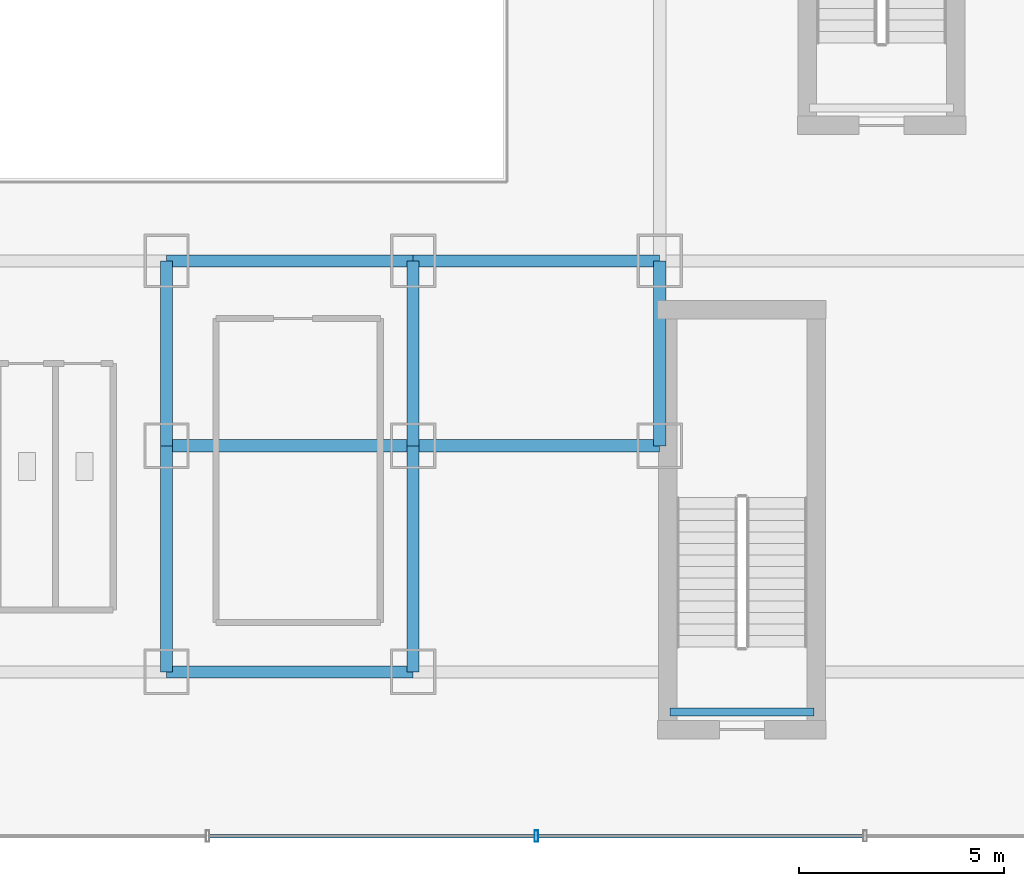
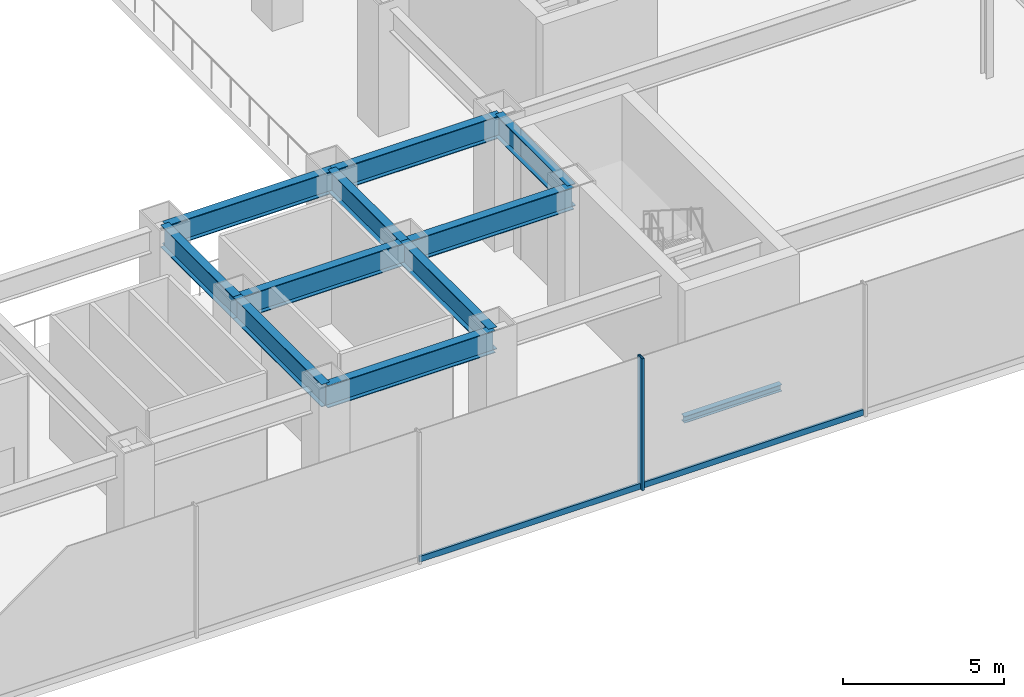
# One storey, part 10 of 39: 11 beams, 3 members, 1 element without a shape of its own.
"""IFC4 building model written with IfcOpenShell, lengths in metres."""

import ifcopenshell
import ifcopenshell.guid

model = None  # the IFC model being written
_history = None  # IfcOwnerHistory: only IFC2X3 demands one
_inside = {}  # id of a spatial element -> (the spatial element, [elements in it])
_under = {}  # id of a project, library or spatial element -> (it, [spatial elements below it])
_declared = {}  # id of a project -> (the project, [libraries it declares])
_typed = {}  # id of a type object -> (the type object, [elements of that type])
_made_of = {}  # id of a material, layer set ... -> (it, [elements and type objects made of it])


def new_model(schema):
    """Start an empty IFC model of exactly this schema.

    Asked for "IFC4X3", IfcOpenShell would pick the latest addendum, in which some entities
    have other attributes; the version numbers below select the first issue.
    IFC2X3 requires an IfcOwnerHistory on every rooted entity: one is made here for all.
    """
    global model, _history
    if schema == "IFC4X3":
        model = ifcopenshell.file(schema_version=(4, 3, 0, 0))
    else:
        model = ifcopenshell.file(schema=schema)
    _inside.clear()
    _under.clear()
    _declared.clear()
    _typed.clear()
    _made_of.clear()
    _history = None
    if model.schema == "IFC2X3":
        org = make("IfcOrganization", Name="unknown")
        user = make(
            "IfcPersonAndOrganization",
            ThePerson=make("IfcPerson", FamilyName="unknown"),
            TheOrganization=org,
        )
        app = make(
            "IfcApplication",
            ApplicationDeveloper=org,
            Version="unknown",
            ApplicationFullName="unknown",
            ApplicationIdentifier="unknown",
        )
        _history = make(
            "IfcOwnerHistory",
            OwningUser=user,
            OwningApplication=app,
            ChangeAction="ADDED",
            CreationDate=0,
        )
    return model


def make(cls, **values):
    """One entity of the class cls with the attributes given. An attribute that is None is left unset."""
    return model.create_entity(
        cls, **{name: value for name, value in values.items() if value is not None}
    )


def rooted(cls, **values):
    """An entity with a GlobalId (a new one), such as an element, a storey or a relation."""
    return make(cls, GlobalId=ifcopenshell.guid.new(), OwnerHistory=_history, **values)


def si_unit(unit_type, name, prefix=None):
    """IfcSIUnit, for example si_unit("LENGTHUNIT", "METRE", prefix="MILLI")."""
    return make("IfcSIUnit", UnitType=unit_type, Prefix=prefix, Name=name)


def derived_unit(unit_type, elements):
    """IfcDerivedUnit: a product of units, each with its exponent."""
    return make(
        "IfcDerivedUnit",
        Elements=[
            make("IfcDerivedUnitElement", Unit=unit, Exponent=power)
            for unit, power in elements
        ],
        UnitType=unit_type,
    )


def assignment(units):
    """IfcUnitAssignment: the units of a project."""
    return None if units is None else make("IfcUnitAssignment", Units=units)


def point(xyz):
    """IfcCartesianPoint."""
    return None if xyz is None else make("IfcCartesianPoint", Coordinates=xyz)


def direction(xyz):
    """IfcDirection."""
    return None if xyz is None else make("IfcDirection", DirectionRatios=xyz)


def frame(location, z_axis=None, x_axis=None):
    """IfcAxis2Placement3D, a coordinate frame: its origin and axes. An axis left out is left unset."""
    return make(
        "IfcAxis2Placement3D",
        Location=point(location),
        Axis=direction(z_axis),
        RefDirection=direction(x_axis),
    )


def frame_2d(location, x_axis=None):
    """IfcAxis2Placement2D, a coordinate frame in the plane: its origin and x axis."""
    return make(
        "IfcAxis2Placement2D", Location=point(location), RefDirection=direction(x_axis)
    )


def origin():
    """The frame at (0, 0, 0) with its axes left unset."""
    return frame((0.0, 0.0, 0.0))


def origin_2d():
    """The frame at (0, 0) in the plane with its x axis left unset."""
    return frame_2d((0.0, 0.0))


def place(relative_to, where):
    """IfcLocalPlacement: puts the frame where relative to a parent placement (None: the world)."""
    return make(
        "IfcLocalPlacement", PlacementRelTo=relative_to, RelativePlacement=where
    )


def context(
    kind, dimensions, precision=None, world=None, true_north=None, identifier=None
):
    """IfcGeometricRepresentationContext, for example the 3D "Model" context."""
    return make(
        "IfcGeometricRepresentationContext",
        ContextIdentifier=identifier,
        ContextType=kind,
        CoordinateSpaceDimension=dimensions,
        Precision=precision,
        WorldCoordinateSystem=world,
        TrueNorth=true_north,
    )


def subcontext(parent, identifier, kind, view, scale=None):
    """IfcGeometricRepresentationSubContext, for example "Body" below "Model"."""
    return make(
        "IfcGeometricRepresentationSubContext",
        ContextIdentifier=identifier,
        ContextType=kind,
        ParentContext=parent,
        TargetScale=scale,
        TargetView=view,
    )


def project(units=None, contexts=None):
    """IfcProject with its units and contexts."""
    return rooted(
        "IfcProject",
        Name="project",
        RepresentationContexts=contexts,
        UnitsInContext=assignment(units),
    )


def spatial(cls, under=None, at=None, **own):
    """A site, building, storey or space (cls), placed at a placement, below another one or the project."""
    s = rooted(cls, ObjectPlacement=at, **own)
    if under is not None:
        _under.setdefault(under.id(), (under, []))[1].append(s)
    return s


def profile(cls, at=None, kind="AREA", **sizes):
    """A parametric profile (cls). Its sizes go by their IFC names, for example OverallWidth=200.0."""
    return make(cls, ProfileType=kind, Position=at, **sizes)


def hollow_rectangle(**sizes):
    """IfcRectangleHollowProfileDef."""
    return profile("IfcRectangleHollowProfileDef", **sizes)


def i_section(**sizes):
    """IfcIShapeProfileDef."""
    return profile("IfcIShapeProfileDef", **sizes)


def extrude(swept, where, along, depth):
    """IfcExtrudedAreaSolid: the profile swept, set in the frame where, extruded along a direction by depth."""
    return make(
        "IfcExtrudedAreaSolid",
        SweptArea=swept,
        Position=where,
        ExtrudedDirection=direction(along),
        Depth=depth,
    )


def shape(context_of_items, identifier, shape_type, items):
    """IfcShapeRepresentation: the items that make up one representation, for example the "Body"."""
    return make(
        "IfcShapeRepresentation",
        ContextOfItems=context_of_items,
        RepresentationIdentifier=identifier,
        RepresentationType=shape_type,
        Items=items,
    )


def source(mapping_origin, context_of_items, identifier, shape_type, items):
    """IfcRepresentationMap: a shape defined once, which mapped items show again and again."""
    return make(
        "IfcRepresentationMap",
        MappingOrigin=mapping_origin,
        MappedRepresentation=shape(context_of_items, identifier, shape_type, items),
    )


def transform(
    local_origin,
    x_axis=None,
    y_axis=None,
    z_axis=None,
    scale=None,
    scale2=None,
    scale3=None,
    uniform=True,
):
    """IfcCartesianTransformationOperator3D, or its non-uniform kind. x_axis, y_axis, z_axis: its Axis1, 2, 3."""
    if uniform:
        return make(
            "IfcCartesianTransformationOperator3D",
            Axis1=direction(x_axis),
            Axis2=direction(y_axis),
            LocalOrigin=point(local_origin),
            Scale=scale,
            Axis3=direction(z_axis),
        )
    return make(
        "IfcCartesianTransformationOperator3DnonUniform",
        Axis1=direction(x_axis),
        Axis2=direction(y_axis),
        LocalOrigin=point(local_origin),
        Scale=scale,
        Axis3=direction(z_axis),
        Scale2=scale2,
        Scale3=scale3,
    )


def mapped(mapping_source, mapping_target):
    """IfcMappedItem: shows the shape of a source again, moved by a transform."""
    return make(
        "IfcMappedItem", MappingSource=mapping_source, MappingTarget=mapping_target
    )


def material(Name=None, Category=None):
    """IfcMaterial."""
    return make("IfcMaterial", Name=Name, Category=Category)


def material_profile(
    of_material, cross_section, Name=None, Category=None, Priority=None
):
    """IfcMaterialProfile: a cross section and its material."""
    return make(
        "IfcMaterialProfile",
        Name=Name,
        Material=of_material,
        Profile=cross_section,
        Priority=Priority,
        Category=Category,
    )


def profile_set(profiles, Name=None, composite=None):
    """IfcMaterialProfileSet."""
    return make(
        "IfcMaterialProfileSet",
        Name=Name,
        MaterialProfiles=profiles,
        CompositeProfile=composite,
    )


def made_of(thing, what):
    """Note that an element or type object is made of a material, layer set ...; save() writes the relation."""
    if what is not None:
        _made_of.setdefault(what.id(), (what, []))[1].append(thing)
    return thing


def type_object(cls, material=None, **own):
    """A type object (cls), such as IfcWallType, which elements share."""
    return made_of(rooted(cls, **own), material)


def element(
    cls,
    number,
    at=None,
    inside=None,
    cuts=None,
    type_object=None,
    material=None,
    context=None,
    identifier="Body",
    shape_type=None,
    held_by="IfcProductDefinitionShape",
    body=None,
    shapes=None,
    **own,
):
    """One element of the class cls, such as IfcWall. Its Tag is "e" and its number.

    at: its placement. inside: the storey or other place that contains it. cuts: it is an
    opening in that element (IfcRelVoidsElement). A single representation is given by context,
    identifier, shape_type and body (its items); several are given by shapes. held_by: the class
    of the entity that holds the representations. save() writes the other relations.
    """
    e = rooted(cls, Tag="e%d" % number, ObjectPlacement=at, **own)
    if body is not None:
        shapes = [shape(context, identifier, shape_type, body)]
    if shapes is not None:
        e.Representation = make(held_by, Representations=shapes)
    if inside is not None:
        _inside.setdefault(inside.id(), (inside, []))[1].append(e)
    if cuts is not None:
        rooted(
            "IfcRelVoidsElement", RelatingBuildingElement=cuts, RelatedOpeningElement=e
        )
    if type_object is not None:
        _typed.setdefault(type_object.id(), (type_object, []))[1].append(e)
    return made_of(e, material)


def aggregate(whole, parts):
    """IfcRelAggregates: a whole, such as a stair, and the parts it consists of."""
    return rooted("IfcRelAggregates", RelatingObject=whole, RelatedObjects=parts)


def save(model, path):
    """Write the relations noted so far, then the file.

    IfcRelAggregates (storeys below a building ...), IfcRelContainedInSpatialStructure (elements
    in a storey), IfcRelDefinesByType, IfcRelAssociatesMaterial and IfcRelDeclares: one each for
    every whole, place, type object, material and project.
    """
    for whole, parts in _under.values():
        aggregate(whole, parts)
    for where, things in _inside.values():
        rooted(
            "IfcRelContainedInSpatialStructure",
            RelatedElements=things,
            RelatingStructure=where,
        )
    for kind, things in _typed.values():
        rooted("IfcRelDefinesByType", RelatedObjects=things, RelatingType=kind)
    for what, things in _made_of.values():
        rooted("IfcRelAssociatesMaterial", RelatedObjects=things, RelatingMaterial=what)
    for by, libraries in _declared.values():
        rooted("IfcRelDeclares", RelatingContext=by, RelatedDefinitions=libraries)
    model.write(path)


model = new_model("IFC4")

# Units and contexts
model_context = context("Model", 3, precision=1e-05, world=origin(), true_north=direction((0.0, 1.0)))
body_context = subcontext(model_context, "Body", "Model", "MODEL_VIEW")
ifc_project = project(units=[si_unit("LENGTHUNIT", "METRE"), si_unit("AREAUNIT", "SQUARE_METRE"), si_unit("VOLUMEUNIT", "CUBIC_METRE"), si_unit("PLANEANGLEUNIT", "RADIAN"), si_unit("MASSUNIT", "GRAM", prefix="KILO"), derived_unit("THERMALTRANSMITTANCEUNIT", [(si_unit("POWERUNIT", "WATT"), 1), (si_unit("LENGTHUNIT", "METRE"), -2), (si_unit("THERMODYNAMICTEMPERATUREUNIT", "KELVIN"), -1)])], contexts=[model_context])

# Site, building, storey
site_placement = place(None, origin())
site = spatial("IfcSite", under=ifc_project, at=site_placement, CompositionType="ELEMENT")
building_placement = place(site_placement, origin())
building = spatial("IfcBuilding", under=site, at=building_placement, Name="Skarnbrae Concourse Arena and Tower", CompositionType="ELEMENT")
storey_placement = place(building_placement, frame((0.0, 0.0, 11.0)))
storey = spatial("IfcBuildingStorey", under=building, at=storey_placement, Name="L02", CompositionType="ELEMENT", Elevation=11.0)

# Beams
ifc_material_1 = material(Name="Steel CSA G40.21 350W", Category="steel")
ifc_material_profile_1 = material_profile(ifc_material_1, i_section(OverallWidth=0.2939453125, OverallDepth=0.85107421875, WebThickness=0.01611328125, FlangeThickness=0.02685546875, at=origin_2d()), Name="W840X226")
ifc_profile_set_1 = profile_set([ifc_material_profile_1], Name="Steel CSA G40.21 350W")
beam_type_1 = type_object("IfcBeamType", Name="BM-GIRD-W840X226", PredefinedType="BEAM", material=ifc_profile_set_1)
shared_shape_1 = source(origin(), body_context, "Body", "SweptSolid", [
    extrude(i_section(OverallWidth=0.2939453125, OverallDepth=0.85107421875, WebThickness=0.01611328125, FlangeThickness=0.02685546875, at=origin_2d()), origin(), (0.0, 0.0, 1.0), 5.5),
])
for number, where, z_axis, x_axis, name in (
    (1, (49.0, 4.0, 4.2744140625), (0.0, 1.0, 0.0), (-1.0, 0.0, 0.0), "L02 SE south tie 49"),
    (2, (55.0, 4.0, 4.2744140625), (0.0, 1.0, 0.0), (-1.0, 0.0, 0.0), "L02 SE south tie 55"),
):
    element("IfcBeam", number, at=place(storey_placement, frame(where, z_axis=z_axis, x_axis=x_axis)), inside=storey, type_object=beam_type_1, Name=name, PredefinedType="BEAM", context=body_context, shape_type="MappedRepresentation", body=[
        mapped(shared_shape_1, transform((0.0, 0.0, 0.0))),
    ])
shared_shape_2 = source(origin(), body_context, "Body", "SweptSolid", [
    extrude(i_section(OverallWidth=0.2939453125, OverallDepth=0.85107421875, WebThickness=0.01611328125, FlangeThickness=0.02685546875, at=origin_2d()), origin(), (0.0, 0.0, 1.0), 6.0),
])
for number, where, z_axis, x_axis, name in (
    (3, (49.0, 14.0, 4.2744140625), (1.0, 0.0, 0.0), (0.0, 1.0, 0.0), "L02 Podium south spine girder 8"),
    (4, (55.0, 14.0, 4.2744140625), (1.0, 0.0, 0.0), (0.0, 1.0, 0.0), "L02 Podium south spine girder 9"),
    (5, (49.0, 9.5, 4.2744140625), (1.0, 0.0, 0.0), (0.0, 1.0, 0.0), "L02 SE elbow girder 1"),
    (6, (55.0, 9.5, 4.2744140625), (1.0, 0.0, 0.0), (0.0, 1.0, 0.0), "L02 SE elbow girder 2"),
    (7, (49.0, 4.0, 4.2744140625), (1.0, 0.0, 0.0), (0.0, 1.0, 0.0), "L02 South-east girder 3"),
):
    element("IfcBeam", number, at=place(storey_placement, frame(where, z_axis=z_axis, x_axis=x_axis)), inside=storey, type_object=beam_type_1, Name=name, PredefinedType="BEAM", context=body_context, shape_type="MappedRepresentation", body=[
        mapped(shared_shape_2, transform((0.0, 0.0, 0.0))),
    ])
shared_shape_3 = source(origin(), body_context, "Body", "SweptSolid", [
    extrude(i_section(OverallWidth=0.2939453125, OverallDepth=0.85107421875, WebThickness=0.01611328125, FlangeThickness=0.02685546875, at=origin_2d()), origin(), (0.0, 0.0, 1.0), 4.5),
])
for number, where, z_axis, x_axis, name in (
    (8, (61.0, 9.5, 4.2744140625), (0.0, 1.0, 0.0), (-1.0, 0.0, 0.0), "L02 Podium east girder 1"),
    (9, (49.0, 9.5, 4.2744140625), (0.0, 1.0, 0.0), (-1.0, 0.0, 0.0), "L02 SE north tie 49"),
    (10, (55.0, 9.5, 4.2744140625), (0.0, 1.0, 0.0), (-1.0, 0.0, 0.0), "L02 SE north tie 55"),
):
    element("IfcBeam", number, at=place(storey_placement, frame(where, z_axis=z_axis, x_axis=x_axis)), inside=storey, type_object=beam_type_1, Name=name, PredefinedType="BEAM", context=body_context, shape_type="MappedRepresentation", body=[
        mapped(shared_shape_3, transform((0.0, 0.0, 0.0))),
    ])

# Curtain wall, members
ifc_material_2 = material(Name="Bronze anodised aluminium 6063-T6", Category="aluminium")
curtain_wall_type = type_object("IfcCurtainWallType", Name="CW-SYS-01-PODIUM", PredefinedType="USERDEFINED", material=ifc_material_2)
curtain_wall_placement = place(storey_placement, origin())
curtain_wall = element("IfcCurtainWall", 11, at=curtain_wall_placement, inside=storey, type_object=curtain_wall_type, Name="L02 Unitised curtain wall CW-L02-SE", ObjectType="UNITISED CURTAIN WALL", PredefinedType="USERDEFINED")
ifc_material_profile_2 = material_profile(ifc_material_2, hollow_rectangle(XDim=0.0849609375, YDim=0.280029296875, WallThickness=0.006103515625, at=origin_2d()), Name="ALU-MULL-85X280")
ifc_profile_set_2 = profile_set([ifc_material_profile_2], Name="Bronze anodised aluminium 6063-T6")
member_type_1 = type_object("IfcMemberType", Name="CWM-CW-01", PredefinedType="MULLION", material=ifc_profile_set_2)
shared_shape_4 = source(origin(), body_context, "Body", "SweptSolid", [
    extrude(hollow_rectangle(XDim=0.0849609375, YDim=0.280029296875, WallThickness=0.006103515625, at=origin_2d()), origin(), (0.0, 0.0, 1.0), 5.0),
])
member_1_placement = place(storey_placement, frame((58.0, 0.0, 0.0), z_axis=(0.0, 0.0, 1.0), x_axis=(1.0, 0.0, 0.0)))
member_1 = element("IfcMember", 12, at=member_1_placement, type_object=member_type_1, Name="CW-L02-SE Mullion 4", PredefinedType="MULLION", context=body_context, shape_type="MappedRepresentation", body=[
    mapped(shared_shape_4, transform((0.0, 0.0, 0.0))),
])
ifc_material_profile_3 = material_profile(ifc_material_2, hollow_rectangle(XDim=0.0849609375, YDim=0.219970703125, WallThickness=0.006103515625, at=origin_2d()), Name="ALU-TRAN-85X220")
ifc_profile_set_3 = profile_set([ifc_material_profile_3], Name="Bronze anodised aluminium 6063-T6")
member_type_2 = type_object("IfcMemberType", Name="CWT-CW-01", PredefinedType="USERDEFINED", material=ifc_profile_set_3)
shared_shape_5 = source(origin(), body_context, "Body", "SweptSolid", [
    extrude(hollow_rectangle(XDim=0.0849609375, YDim=0.219970703125, WallThickness=0.006103515625, at=origin_2d()), origin(), (0.0, 0.0, 1.0), 7.9150390625),
])
member_2_placement = place(storey_placement, frame((50.04248046875, 0.0, 0.110107421875), z_axis=(1.0, 0.0, 0.0), x_axis=(0.0, 1.0, 0.0)))
member_2 = element("IfcMember", 13, at=member_2_placement, type_object=member_type_2, Name="CW-L02-SE Transom 3", ObjectType="TRANSOM", PredefinedType="USERDEFINED", context=body_context, shape_type="MappedRepresentation", body=[
    mapped(shared_shape_5, transform((0.0, 0.0, 0.0))),
])
member_3_placement = place(storey_placement, frame((58.04248046875, 0.0, 0.110107421875), z_axis=(1.0, 0.0, 0.0), x_axis=(0.0, 1.0, 0.0)))
member_3 = element("IfcMember", 14, at=member_3_placement, type_object=member_type_2, Name="CW-L02-SE Transom 4", ObjectType="TRANSOM", PredefinedType="USERDEFINED", context=body_context, shape_type="MappedRepresentation", body=[
    mapped(shared_shape_5, transform((0.0, 0.0, 0.0))),
])
aggregate(curtain_wall, [member_1, member_2, member_3])

# Beam
ifc_material_profile_4 = material_profile(ifc_material_1, i_section(OverallWidth=0.202880859375, OverallDepth=0.251953125, WebThickness=0.008056640625, FlangeThickness=0.013427734375, at=origin_2d()), Name="W250X58")
ifc_profile_set_4 = profile_set([ifc_material_profile_4], Name="Steel CSA G40.21 350W")
beam_type_2 = type_object("IfcBeamType", Name="BM-LINTEL-W250X58", PredefinedType="LINTEL", material=ifc_profile_set_4)
shared_shape_6 = source(origin(), body_context, "Body", "SweptSolid", [
    extrude(i_section(OverallWidth=0.202880859375, OverallDepth=0.251953125, WebThickness=0.008056640625, FlangeThickness=0.013427734375, at=origin_2d()), origin(), (0.0, 0.0, 1.0), 3.5),
])
beam_placement = place(storey_placement, frame((64.75, 3.02001953125, -0.325927734375), z_axis=(-1.0, 0.0, 0.0), x_axis=(0.0, -1.0, 0.0)))
element("IfcBeam", 15, at=beam_placement, inside=storey, type_object=beam_type_2, Name="L02 Stair ST-A1 near landing soffit beam", PredefinedType="LINTEL", context=body_context, shape_type="MappedRepresentation", body=[
    mapped(shared_shape_6, transform((0.0, 0.0, 0.0))),
])

save(model, "model.ifc")
